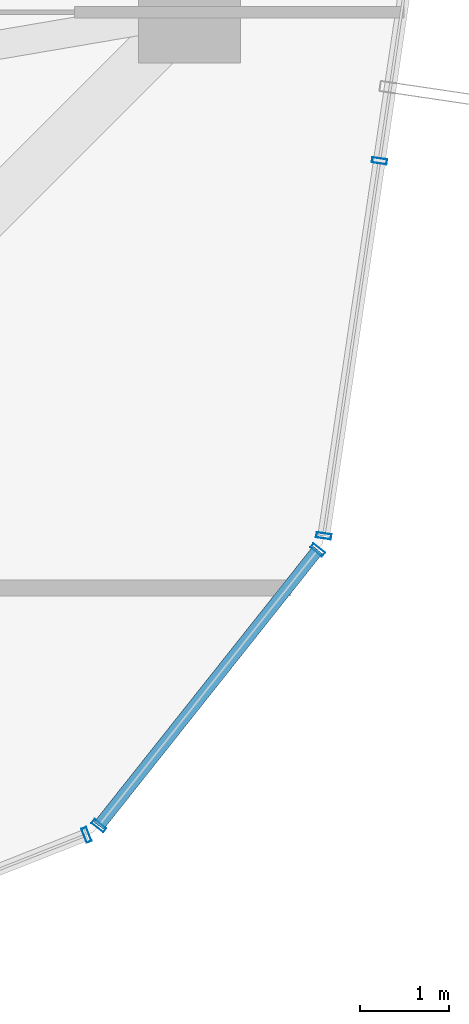
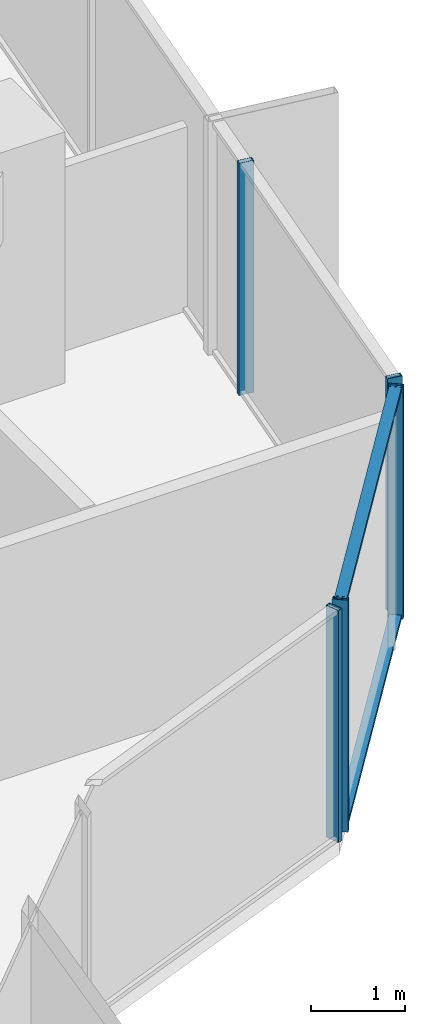
# One storey, part 14 of 29: 7 members, 3 elements without a shape of their own.
"""IFC4 building model written with IfcOpenShell, lengths in metres."""

from ifc_helpers import new_model, si_unit, direction, frame, origin, origin_2d, place, context, subcontext, project, spatial, hollow_rectangle, extrude, source, transform, mapped, material, layer, layer_set, material_profile, profile_set, type_object, element, aggregate, save


model = new_model("IFC4")

# Units and contexts
model_context = context("Model", 3, precision=1e-05, world=origin(), true_north=direction((0.0, 1.0)))
body_context = subcontext(model_context, "Body", "Model", "MODEL_VIEW")
ifc_project = project(units=[si_unit("LENGTHUNIT", "METRE"), si_unit("AREAUNIT", "SQUARE_METRE"), si_unit("VOLUMEUNIT", "CUBIC_METRE"), si_unit("PLANEANGLEUNIT", "RADIAN"), si_unit("MASSUNIT", "GRAM", prefix="KILO")], contexts=[model_context])

# Site, building, storey
site_placement = place(None, origin())
site = spatial("IfcSite", under=ifc_project, at=site_placement, CompositionType="ELEMENT")
building_placement = place(site_placement, origin())
building = spatial("IfcBuilding", under=site, at=building_placement, Name="Veraguas Prism Commons", CompositionType="ELEMENT")
storey_placement = place(building_placement, frame((0.0, 0.0, 99.199951171875)))
storey = spatial("IfcBuildingStorey", under=building, at=storey_placement, Name="L27", CompositionType="ELEMENT", Elevation=99.199951171875)

# Curtain wall, member
ifc_material = material(Name="Anodised aluminium EN AW-6063 T6", Category="aluminium")
ifc_layer = layer(ifc_material, 0.169921875, Name="Unitised Flush Curtain Wall Zone 2", Category="aluminium")
ifc_layer_set = layer_set([ifc_layer], Name="Anodised aluminium EN AW-6063 T6")
curtain_wall_type = type_object("IfcCurtainWallType", Name="Unitised Flush Curtain Wall Zone 2", PredefinedType="NOTDEFINED", material=ifc_layer_set)
curtain_wall_1_placement = place(storey_placement, origin())
curtain_wall_1 = element("IfcCurtainWall", 1, at=curtain_wall_1_placement, inside=storey, type_object=curtain_wall_type, Name="Tower Facade Curtain Wall L27-F5", PredefinedType="NOTDEFINED")
ifc_material_profile_1 = material_profile(ifc_material, hollow_rectangle(XDim=0.06005859375, YDim=0.169921875, WallThickness=0.00390625, at=origin_2d()), Name="AL60X170X4")
ifc_profile_set_1 = profile_set([ifc_material_profile_1], Name="Anodised aluminium EN AW-6063 T6")
member_type_1 = type_object("IfcMemberType", Name="Curtain Wall Mullion Lower AL 60x170x4", PredefinedType="MULLION", material=ifc_profile_set_1)
shared_shape_1 = source(origin(), body_context, "Body", "SweptSolid", [
    extrude(hollow_rectangle(XDim=0.06005859375, YDim=0.169921875, WallThickness=0.00390625, at=origin_2d()), origin(), (0.0, 0.0, 1.0), 3.0),
])
member_1_placement = place(storey_placement, frame((39.035400390625, 9.315185546875, 0.0), z_axis=(0.0, 0.0, 1.0), x_axis=(0.93003197597, 0.367478603014, 0.0)))
member_1 = element("IfcMember", 2, at=member_1_placement, type_object=member_type_1, Name="CW-Z2 Mullion 5", PredefinedType="MULLION", context=body_context, shape_type="MappedRepresentation", body=[
    mapped(shared_shape_1, transform((0.0, 0.0, 0.0), scale=1.0)),
])
aggregate(curtain_wall_1, [member_1])

# Curtain wall, members
curtain_wall_2_placement = place(storey_placement, origin())
curtain_wall_2 = element("IfcCurtainWall", 3, at=curtain_wall_2_placement, inside=storey, type_object=curtain_wall_type, Name="Tower Facade Curtain Wall L27-F6", PredefinedType="NOTDEFINED")
member_2_placement = place(storey_placement, frame((41.71435546875, 12.6904296875, 0.0), z_axis=(0.0, 0.0, 1.0), x_axis=(0.146777088137, 0.989169594356, 0.0)))
member_2 = element("IfcMember", 4, at=member_2_placement, type_object=member_type_1, Name="CW-Z2 Mullion 1", PredefinedType="MULLION", context=body_context, shape_type="MappedRepresentation", body=[
    mapped(shared_shape_1, transform((0.0, 0.0, 0.0), scale=1.0)),
])
member_3_placement = place(storey_placement, frame((42.34228515625, 16.922607421875, 0.0), z_axis=(0.0, 0.0, 1.0), x_axis=(0.146777088137, 0.989169594356, 0.0)))
member_3 = element("IfcMember", 5, at=member_3_placement, type_object=member_type_1, Name="CW-Z2 Mullion 2", PredefinedType="MULLION", context=body_context, shape_type="MappedRepresentation", body=[
    mapped(shared_shape_1, transform((0.0, 0.0, 0.0), scale=1.0)),
])
aggregate(curtain_wall_2, [member_2, member_3])

curtain_wall_3_placement = place(storey_placement, origin())
curtain_wall_3 = element("IfcCurtainWall", 6, at=curtain_wall_3_placement, inside=storey, type_object=curtain_wall_type, Name="Chamfer Curtain Wall L27-C6", PredefinedType="NOTDEFINED")
member_4_placement = place(storey_placement, frame((39.175048828125, 9.418701171875, 0.0), z_axis=(0.0, 0.0, 1.0), x_axis=(0.62168244662, 0.783269388885, 0.0)))
member_4 = element("IfcMember", 7, at=member_4_placement, type_object=member_type_1, Name="CW-Z2 Mullion 1", PredefinedType="MULLION", context=body_context, shape_type="MappedRepresentation", body=[
    mapped(shared_shape_1, transform((0.0, 0.0, 0.0), scale=1.0)),
])
member_5_placement = place(storey_placement, frame((41.645263671875, 12.53076171875, 0.0), z_axis=(0.0, 0.0, 1.0), x_axis=(0.62168244662, 0.783269388885, 0.0)))
member_5 = element("IfcMember", 8, at=member_5_placement, type_object=member_type_1, Name="CW-Z2 Mullion 2", PredefinedType="MULLION", context=body_context, shape_type="MappedRepresentation", body=[
    mapped(shared_shape_1, transform((0.0, 0.0, 0.0), scale=1.0)),
])
ifc_material_profile_2 = material_profile(ifc_material, hollow_rectangle(XDim=0.054931640625, YDim=0.135009765625, WallThickness=0.0029296875, at=origin_2d()), Name="AL55X135X3")
ifc_profile_set_2 = profile_set([ifc_material_profile_2], Name="Anodised aluminium EN AW-6063 T6")
member_type_2 = type_object("IfcMemberType", Name="Curtain Wall Transom Standard AL 55x135x3", PredefinedType="USERDEFINED", material=ifc_profile_set_2)
shared_shape_2 = source(origin(), body_context, "Body", "SweptSolid", [
    extrude(hollow_rectangle(XDim=0.054931640625, YDim=0.135009765625, WallThickness=0.0029296875, at=origin_2d()), origin(), (0.0, 0.0, 1.0), 3.973388671875),
])
member_6_placement = place(storey_placement, frame((39.175048828125, 9.418701171875, 0.027587890625), z_axis=(0.62170812431, 0.783249007766, 0.0), x_axis=(0.0, 0.0, 1.0)))
member_6 = element("IfcMember", 9, at=member_6_placement, type_object=member_type_2, Name="CW-Z2 Transom 1", ObjectType="TRANSOM", PredefinedType="USERDEFINED", context=body_context, shape_type="MappedRepresentation", body=[
    mapped(shared_shape_2, transform((0.0, 0.0, 0.0), scale=1.0)),
])
member_7_placement = place(storey_placement, frame((39.175048828125, 9.418701171875, 2.97265625), z_axis=(0.62170812431, 0.783249007766, 0.0), x_axis=(0.0, 0.0, 1.0)))
member_7 = element("IfcMember", 10, at=member_7_placement, type_object=member_type_2, Name="CW-Z2 Transom 2", ObjectType="TRANSOM", PredefinedType="USERDEFINED", context=body_context, shape_type="MappedRepresentation", body=[
    mapped(shared_shape_2, transform((0.0, 0.0, 0.0), scale=1.0)),
])
aggregate(curtain_wall_3, [member_4, member_5, member_6, member_7])

save(model, "model.ifc")
